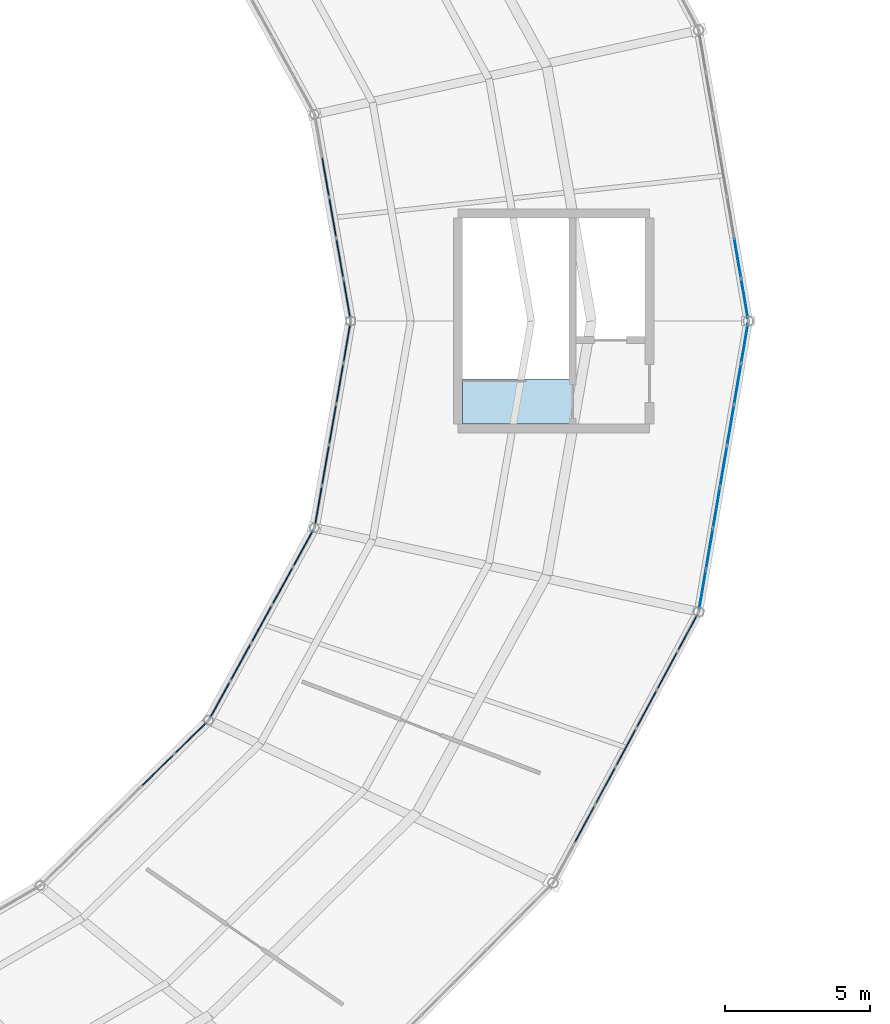
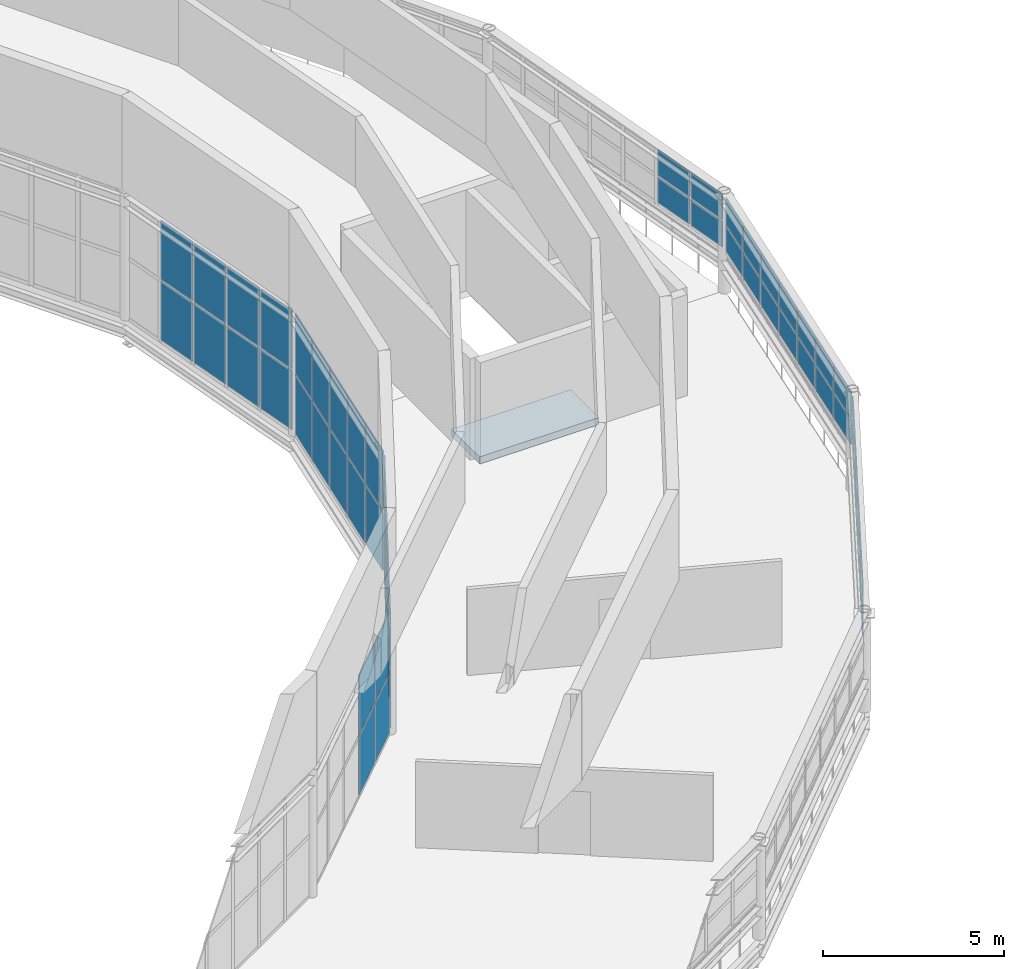
# One storey, part 88 of 123: 62 plates, 1 slab, 7 elements without a shape of their own.
"""IFC4 building model written with IfcOpenShell, lengths in metres."""

from ifc_helpers import new_model, si_unit, direction, frame, origin, origin_2d, place, context, subcontext, project, spatial, polyline, rectangle, outline, extrude, material, layer, layer_set, type_object, element, aggregate, save


model = new_model("IFC4")

# Units and contexts
model_context = context("Model", 3, precision=1e-05, world=origin(), true_north=direction((0.0, 1.0)))
body_context = subcontext(model_context, "Body", "Model", "MODEL_VIEW")
ifc_project = project(units=[si_unit("LENGTHUNIT", "METRE"), si_unit("AREAUNIT", "SQUARE_METRE"), si_unit("VOLUMEUNIT", "CUBIC_METRE"), si_unit("PLANEANGLEUNIT", "RADIAN"), si_unit("MASSUNIT", "GRAM", prefix="KILO")], contexts=[model_context])

# Site, building, storey
site_placement = place(None, origin())
site = spatial("IfcSite", under=ifc_project, at=site_placement, CompositionType="ELEMENT")
building_placement = place(site_placement, origin())
building = spatial("IfcBuilding", under=site, at=building_placement, Name="Kildeholm Park Wholesale Market", CompositionType="ELEMENT")
storey_placement = place(building_placement, frame((0.0, 0.0, 9.60009765625)))
storey = spatial("IfcBuildingStorey", under=building, at=storey_placement, Name="L02", CompositionType="ELEMENT", Elevation=9.60009765625)

# Curtain wall, plates
ifc_material_1 = material(Name="Anodised aluminium and low-E double-glazed glass", Category="aluminium")
curtain_wall_type = type_object("IfcCurtainWallType", Name="Clerestory daylight stick curtain wall CW-02", PredefinedType="NOTDEFINED", material=ifc_material_1)
curtain_wall_1_placement = place(storey_placement, origin())
curtain_wall_1 = element("IfcCurtainWall", 1, at=curtain_wall_1_placement, inside=storey, type_object=curtain_wall_type, Name="Curtain wall CW-V1-IN2-00 CW-0005", PredefinedType="NOTDEFINED")
ifc_material_2 = material(Name="Triple-glazed solar-control glass", Category="glass")
ifc_layer_1 = layer(ifc_material_2, 0.035888671875)
ifc_layer_set_1 = layer_set([ifc_layer_1], Name="Triple-glazed solar-control glass")
plate_type_1 = type_object("IfcPlateType", Name="Curtain-wall panel CWP-2 36 mm", PredefinedType="CURTAIN_PANEL", material=ifc_layer_set_1)
plate_1_placement = place(storey_placement, frame((135.37451171875, 90.2587890625, 0.06005859375), z_axis=(0.0, 0.0, 1.0), x_axis=(-0.172132515628, 0.985073802851, 0.0)))
plate_1 = element("IfcPlate", 2, at=plate_1_placement, type_object=plate_type_1, Name="CW-02 panel 1.1 PLT-0222", PredefinedType="CURTAIN_PANEL", context=body_context, shape_type="SweptSolid", body=[
    extrude(rectangle(XDim=1.339111328125, YDim=0.035888671875, at=origin_2d()), origin(), (0.0, 0.0, 1.0), 1.985107421875),
])
plate_2_placement = place(storey_placement, frame((135.37451171875, 90.2587890625, 2.10498046875), z_axis=(0.0, 0.0, 1.0), x_axis=(-0.172132515628, 0.985073802851, 0.0)))
plate_2 = element("IfcPlate", 3, at=plate_2_placement, type_object=plate_type_1, Name="CW-02 panel 1.2 PLT-0223", PredefinedType="CURTAIN_PANEL", context=body_context, shape_type="SweptSolid", body=[
    extrude(rectangle(XDim=1.339111328125, YDim=0.035888671875, at=origin_2d()), origin(), (0.0, 0.0, 1.0), 1.985107421875),
])
plate_3_placement = place(storey_placement, frame((135.131103515625, 91.651611328125, 0.06005859375), z_axis=(0.0, 0.0, 1.0), x_axis=(-0.172132515628, 0.985073802851, 0.0)))
plate_3 = element("IfcPlate", 4, at=plate_3_placement, type_object=plate_type_1, Name="CW-02 panel 2.1 PLT-0224", PredefinedType="CURTAIN_PANEL", context=body_context, shape_type="SweptSolid", body=[
    extrude(rectangle(XDim=1.369140625, YDim=0.035888671875, at=origin_2d()), origin(), (0.0, 0.0, 1.0), 1.985107421875),
])
plate_4_placement = place(storey_placement, frame((135.131103515625, 91.651611328125, 2.10498046875), z_axis=(0.0, 0.0, 1.0), x_axis=(-0.172132515628, 0.985073802851, 0.0)))
plate_4 = element("IfcPlate", 5, at=plate_4_placement, type_object=plate_type_1, Name="CW-02 panel 2.2 PLT-0225", PredefinedType="CURTAIN_PANEL", context=body_context, shape_type="SweptSolid", body=[
    extrude(rectangle(XDim=1.369140625, YDim=0.035888671875, at=origin_2d()), origin(), (0.0, 0.0, 1.0), 1.985107421875),
])
plate_5_placement = place(storey_placement, frame((134.885009765625, 93.0595703125, 0.06005859375), z_axis=(0.0, 0.0, 1.0), x_axis=(-0.172132515628, 0.985073802851, 0.0)))
plate_5 = element("IfcPlate", 6, at=plate_5_placement, type_object=plate_type_1, Name="CW-02 panel 3.1 PLT-0226", PredefinedType="CURTAIN_PANEL", context=body_context, shape_type="SweptSolid", body=[
    extrude(rectangle(XDim=1.369140625, YDim=0.035888671875, at=origin_2d()), origin(), (0.0, 0.0, 1.0), 1.985107421875),
])
plate_6_placement = place(storey_placement, frame((134.885009765625, 93.0595703125, 2.10498046875), z_axis=(0.0, 0.0, 1.0), x_axis=(-0.172132515628, 0.985073802851, 0.0)))
plate_6 = element("IfcPlate", 7, at=plate_6_placement, type_object=plate_type_1, Name="CW-02 panel 3.2 PLT-0227", PredefinedType="CURTAIN_PANEL", context=body_context, shape_type="SweptSolid", body=[
    extrude(rectangle(XDim=1.369140625, YDim=0.035888671875, at=origin_2d()), origin(), (0.0, 0.0, 1.0), 1.985107421875),
])
plate_7_placement = place(storey_placement, frame((134.638916015625, 94.46728515625, 0.06005859375), z_axis=(0.0, 0.0, 1.0), x_axis=(-0.172132515628, 0.985073802851, 0.0)))
plate_7 = element("IfcPlate", 8, at=plate_7_placement, type_object=plate_type_1, Name="CW-02 panel 4.1 PLT-0228", PredefinedType="CURTAIN_PANEL", context=body_context, shape_type="SweptSolid", body=[
    extrude(rectangle(XDim=1.369140625, YDim=0.035888671875, at=origin_2d()), origin(), (0.0, 0.0, 1.0), 1.985107421875),
])
plate_8_placement = place(storey_placement, frame((134.638916015625, 94.46728515625, 2.10498046875), z_axis=(0.0, 0.0, 1.0), x_axis=(-0.172132515628, 0.985073802851, 0.0)))
plate_8 = element("IfcPlate", 9, at=plate_8_placement, type_object=plate_type_1, Name="CW-02 panel 4.2 PLT-0229", PredefinedType="CURTAIN_PANEL", context=body_context, shape_type="SweptSolid", body=[
    extrude(rectangle(XDim=1.369140625, YDim=0.035888671875, at=origin_2d()), origin(), (0.0, 0.0, 1.0), 1.985107421875),
])
aggregate(curtain_wall_1, [plate_1, plate_2, plate_3, plate_4, plate_5, plate_6, plate_7, plate_8])

curtain_wall_2_placement = place(storey_placement, origin())
curtain_wall_2 = element("IfcCurtainWall", 10, at=curtain_wall_2_placement, inside=storey, type_object=curtain_wall_type, Name="Curtain wall CW-V1-IN2-21 CW-0108", PredefinedType="NOTDEFINED")
plate_9_placement = place(storey_placement, frame((128.863037109375, 74.02734375, 0.06005859375), z_axis=(0.0, 0.0, 1.0), x_axis=(0.713537995789, 0.700616534607, 0.0)))
plate_9 = element("IfcPlate", 11, at=plate_9_placement, type_object=plate_type_1, Name="CW-02 panel 4.1 PLT-1616", PredefinedType="CURTAIN_PANEL", context=body_context, shape_type="SweptSolid", body=[
    extrude(rectangle(XDim=1.5498046875, YDim=0.035888671875, at=origin_2d()), origin(), (0.0, 0.0, 1.0), 1.985107421875),
])
plate_10_placement = place(storey_placement, frame((128.863037109375, 74.02734375, 2.10498046875), z_axis=(0.0, 0.0, 1.0), x_axis=(0.713537995789, 0.700616534607, 0.0)))
plate_10 = element("IfcPlate", 12, at=plate_10_placement, type_object=plate_type_1, Name="CW-02 panel 4.2 PLT-1617", PredefinedType="CURTAIN_PANEL", context=body_context, shape_type="SweptSolid", body=[
    extrude(rectangle(XDim=1.5498046875, YDim=0.035888671875, at=origin_2d()), origin(), (0.0, 0.0, 1.0), 1.985107421875),
])
plate_11_placement = place(storey_placement, frame((130.0009765625, 75.14453125, 0.06005859375), z_axis=(0.0, 0.0, 1.0), x_axis=(0.713537995789, 0.700616534607, 0.0)))
plate_11 = element("IfcPlate", 13, at=plate_11_placement, type_object=plate_type_1, Name="CW-02 panel 5.1 PLT-1618", PredefinedType="CURTAIN_PANEL", context=body_context, shape_type="SweptSolid", body=[
    extrude(rectangle(XDim=1.519775390625, YDim=0.035888671875, at=origin_2d()), origin(), (0.0, 0.0, 1.0), 1.985107421875),
])
plate_12_placement = place(storey_placement, frame((130.0009765625, 75.14453125, 2.10498046875), z_axis=(0.0, 0.0, 1.0), x_axis=(0.713537995789, 0.700616534607, 0.0)))
plate_12 = element("IfcPlate", 14, at=plate_12_placement, type_object=plate_type_1, Name="CW-02 panel 5.2 PLT-1619", PredefinedType="CURTAIN_PANEL", context=body_context, shape_type="SweptSolid", body=[
    extrude(rectangle(XDim=1.519775390625, YDim=0.035888671875, at=origin_2d()), origin(), (0.0, 0.0, 1.0), 1.985107421875),
])
aggregate(curtain_wall_2, [plate_9, plate_10, plate_11, plate_12])

curtain_wall_3_placement = place(storey_placement, origin())
curtain_wall_3 = element("IfcCurtainWall", 15, at=curtain_wall_3_placement, inside=storey, type_object=curtain_wall_type, Name="Curtain wall CW-V1-IN2-22 CW-0113", PredefinedType="NOTDEFINED")
plate_13_placement = place(storey_placement, frame((131.0029296875, 76.452392578125, 0.06005859375), z_axis=(0.0, 0.0, 1.0), x_axis=(0.481749595055, 0.876308922506, 0.0)))
plate_13 = element("IfcPlate", 16, at=plate_13_placement, type_object=plate_type_1, Name="CW-02 panel 1.1 PLT-1670", PredefinedType="CURTAIN_PANEL", context=body_context, shape_type="SweptSolid", body=[
    extrude(rectangle(XDim=1.407958984375, YDim=0.035888671875, at=origin_2d()), origin(), (0.0, 0.0, 1.0), 1.985107421875),
])
plate_14_placement = place(storey_placement, frame((131.0029296875, 76.452392578125, 2.10498046875), z_axis=(0.0, 0.0, 1.0), x_axis=(0.481749595055, 0.876308922506, 0.0)))
plate_14 = element("IfcPlate", 17, at=plate_14_placement, type_object=plate_type_1, Name="CW-02 panel 1.2 PLT-1671", PredefinedType="CURTAIN_PANEL", context=body_context, shape_type="SweptSolid", body=[
    extrude(rectangle(XDim=1.407958984375, YDim=0.035888671875, at=origin_2d()), origin(), (0.0, 0.0, 1.0), 1.985107421875),
])
plate_15_placement = place(storey_placement, frame((131.71728515625, 77.751953125, 0.06005859375), z_axis=(0.0, 0.0, 1.0), x_axis=(0.481749595055, 0.876308922506, 0.0)))
plate_15 = element("IfcPlate", 18, at=plate_15_placement, type_object=plate_type_1, Name="CW-02 panel 2.1 PLT-1672", PredefinedType="CURTAIN_PANEL", context=body_context, shape_type="SweptSolid", body=[
    extrude(rectangle(XDim=1.43798828125, YDim=0.035888671875, at=origin_2d()), origin(), (0.0, 0.0, 1.0), 1.985107421875),
])
plate_16_placement = place(storey_placement, frame((131.71728515625, 77.751953125, 2.10498046875), z_axis=(0.0, 0.0, 1.0), x_axis=(0.481749595055, 0.876308922506, 0.0)))
plate_16 = element("IfcPlate", 19, at=plate_16_placement, type_object=plate_type_1, Name="CW-02 panel 2.2 PLT-1673", PredefinedType="CURTAIN_PANEL", context=body_context, shape_type="SweptSolid", body=[
    extrude(rectangle(XDim=1.43798828125, YDim=0.035888671875, at=origin_2d()), origin(), (0.0, 0.0, 1.0), 1.985107421875),
])
plate_17_placement = place(storey_placement, frame((132.43896484375, 79.064453125, 0.06005859375), z_axis=(0.0, 0.0, 1.0), x_axis=(0.481749595055, 0.876308922506, 0.0)))
plate_17 = element("IfcPlate", 20, at=plate_17_placement, type_object=plate_type_1, Name="CW-02 panel 3.1 PLT-1674", PredefinedType="CURTAIN_PANEL", context=body_context, shape_type="SweptSolid", body=[
    extrude(rectangle(XDim=1.43798828125, YDim=0.035888671875, at=origin_2d()), origin(), (0.0, 0.0, 1.0), 1.985107421875),
])
plate_18_placement = place(storey_placement, frame((132.43896484375, 79.064453125, 2.10498046875), z_axis=(0.0, 0.0, 1.0), x_axis=(0.481749595055, 0.876308922506, 0.0)))
plate_18 = element("IfcPlate", 21, at=plate_18_placement, type_object=plate_type_1, Name="CW-02 panel 3.2 PLT-1675", PredefinedType="CURTAIN_PANEL", context=body_context, shape_type="SweptSolid", body=[
    extrude(rectangle(XDim=1.43798828125, YDim=0.035888671875, at=origin_2d()), origin(), (0.0, 0.0, 1.0), 1.985107421875),
])
plate_19_placement = place(storey_placement, frame((133.16064453125, 80.377197265625, 0.06005859375), z_axis=(0.0, 0.0, 1.0), x_axis=(0.481749595055, 0.876308922506, 0.0)))
plate_19 = element("IfcPlate", 22, at=plate_19_placement, type_object=plate_type_1, Name="CW-02 panel 4.1 PLT-1676", PredefinedType="CURTAIN_PANEL", context=body_context, shape_type="SweptSolid", body=[
    extrude(rectangle(XDim=1.43798828125, YDim=0.035888671875, at=origin_2d()), origin(), (0.0, 0.0, 1.0), 1.985107421875),
])
plate_20_placement = place(storey_placement, frame((133.16064453125, 80.377197265625, 2.10498046875), z_axis=(0.0, 0.0, 1.0), x_axis=(0.481749595055, 0.876308922506, 0.0)))
plate_20 = element("IfcPlate", 23, at=plate_20_placement, type_object=plate_type_1, Name="CW-02 panel 4.2 PLT-1677", PredefinedType="CURTAIN_PANEL", context=body_context, shape_type="SweptSolid", body=[
    extrude(rectangle(XDim=1.43798828125, YDim=0.035888671875, at=origin_2d()), origin(), (0.0, 0.0, 1.0), 1.985107421875),
])
plate_21_placement = place(storey_placement, frame((133.875, 81.676513671875, 0.06005859375), z_axis=(0.0, 0.0, 1.0), x_axis=(0.481749595055, 0.876308922506, 0.0)))
plate_21 = element("IfcPlate", 24, at=plate_21_placement, type_object=plate_type_1, Name="CW-02 panel 5.1 PLT-1678", PredefinedType="CURTAIN_PANEL", context=body_context, shape_type="SweptSolid", body=[
    extrude(rectangle(XDim=1.407958984375, YDim=0.035888671875, at=origin_2d()), origin(), (0.0, 0.0, 1.0), 1.985107421875),
])
plate_22_placement = place(storey_placement, frame((133.875, 81.676513671875, 2.10498046875), z_axis=(0.0, 0.0, 1.0), x_axis=(0.481749595055, 0.876308922506, 0.0)))
plate_22 = element("IfcPlate", 25, at=plate_22_placement, type_object=plate_type_1, Name="CW-02 panel 5.2 PLT-1679", PredefinedType="CURTAIN_PANEL", context=body_context, shape_type="SweptSolid", body=[
    extrude(rectangle(XDim=1.407958984375, YDim=0.035888671875, at=origin_2d()), origin(), (0.0, 0.0, 1.0), 1.985107421875),
])
aggregate(curtain_wall_3, [plate_13, plate_14, plate_15, plate_16, plate_17, plate_18, plate_19, plate_20, plate_21, plate_22])

curtain_wall_4_placement = place(storey_placement, origin())
curtain_wall_4 = element("IfcCurtainWall", 26, at=curtain_wall_4_placement, inside=storey, type_object=curtain_wall_type, Name="Curtain wall CW-V1-IN2-23 CW-0118", PredefinedType="NOTDEFINED")
plate_23_placement = place(storey_placement, frame((134.3955078125, 83.1396484375, 0.06005859375), z_axis=(0.0, 0.0, 1.0), x_axis=(0.172132515628, 0.985073802851, 0.0)))
plate_23 = element("IfcPlate", 27, at=plate_23_placement, type_object=plate_type_1, Name="CW-02 panel 1.1 PLT-1730", PredefinedType="CURTAIN_PANEL", context=body_context, shape_type="SweptSolid", body=[
    extrude(rectangle(XDim=1.339111328125, YDim=0.035888671875, at=origin_2d()), origin(), (0.0, 0.0, 1.0), 1.985107421875),
])
plate_24_placement = place(storey_placement, frame((134.3955078125, 83.1396484375, 2.10498046875), z_axis=(0.0, 0.0, 1.0), x_axis=(0.172132515628, 0.985073802851, 0.0)))
plate_24 = element("IfcPlate", 28, at=plate_24_placement, type_object=plate_type_1, Name="CW-02 panel 1.2 PLT-1731", PredefinedType="CURTAIN_PANEL", context=body_context, shape_type="SweptSolid", body=[
    extrude(rectangle(XDim=1.339111328125, YDim=0.035888671875, at=origin_2d()), origin(), (0.0, 0.0, 1.0), 1.985107421875),
])
plate_25_placement = place(storey_placement, frame((134.638916015625, 84.53271484375, 0.06005859375), z_axis=(0.0, 0.0, 1.0), x_axis=(0.172132515628, 0.985073802851, 0.0)))
plate_25 = element("IfcPlate", 29, at=plate_25_placement, type_object=plate_type_1, Name="CW-02 panel 2.1 PLT-1732", PredefinedType="CURTAIN_PANEL", context=body_context, shape_type="SweptSolid", body=[
    extrude(rectangle(XDim=1.369140625, YDim=0.035888671875, at=origin_2d()), origin(), (0.0, 0.0, 1.0), 1.985107421875),
])
plate_26_placement = place(storey_placement, frame((134.638916015625, 84.53271484375, 2.10498046875), z_axis=(0.0, 0.0, 1.0), x_axis=(0.172132515628, 0.985073802851, 0.0)))
plate_26 = element("IfcPlate", 30, at=plate_26_placement, type_object=plate_type_1, Name="CW-02 panel 2.2 PLT-1733", PredefinedType="CURTAIN_PANEL", context=body_context, shape_type="SweptSolid", body=[
    extrude(rectangle(XDim=1.369140625, YDim=0.035888671875, at=origin_2d()), origin(), (0.0, 0.0, 1.0), 1.985107421875),
])
plate_27_placement = place(storey_placement, frame((134.885009765625, 85.9404296875, 0.06005859375), z_axis=(0.0, 0.0, 1.0), x_axis=(0.172132515628, 0.985073802851, 0.0)))
plate_27 = element("IfcPlate", 31, at=plate_27_placement, type_object=plate_type_1, Name="CW-02 panel 3.1 PLT-1734", PredefinedType="CURTAIN_PANEL", context=body_context, shape_type="SweptSolid", body=[
    extrude(rectangle(XDim=1.369140625, YDim=0.035888671875, at=origin_2d()), origin(), (0.0, 0.0, 1.0), 1.985107421875),
])
plate_28_placement = place(storey_placement, frame((134.885009765625, 85.9404296875, 2.10498046875), z_axis=(0.0, 0.0, 1.0), x_axis=(0.172132515628, 0.985073802851, 0.0)))
plate_28 = element("IfcPlate", 32, at=plate_28_placement, type_object=plate_type_1, Name="CW-02 panel 3.2 PLT-1735", PredefinedType="CURTAIN_PANEL", context=body_context, shape_type="SweptSolid", body=[
    extrude(rectangle(XDim=1.369140625, YDim=0.035888671875, at=origin_2d()), origin(), (0.0, 0.0, 1.0), 1.985107421875),
])
plate_29_placement = place(storey_placement, frame((135.131103515625, 87.348388671875, 0.06005859375), z_axis=(0.0, 0.0, 1.0), x_axis=(0.172132515628, 0.985073802851, 0.0)))
plate_29 = element("IfcPlate", 33, at=plate_29_placement, type_object=plate_type_1, Name="CW-02 panel 4.1 PLT-1736", PredefinedType="CURTAIN_PANEL", context=body_context, shape_type="SweptSolid", body=[
    extrude(rectangle(XDim=1.369140625, YDim=0.035888671875, at=origin_2d()), origin(), (0.0, 0.0, 1.0), 1.985107421875),
])
plate_30_placement = place(storey_placement, frame((135.131103515625, 87.348388671875, 2.10498046875), z_axis=(0.0, 0.0, 1.0), x_axis=(0.172132515628, 0.985073802851, 0.0)))
plate_30 = element("IfcPlate", 34, at=plate_30_placement, type_object=plate_type_1, Name="CW-02 panel 4.2 PLT-1737", PredefinedType="CURTAIN_PANEL", context=body_context, shape_type="SweptSolid", body=[
    extrude(rectangle(XDim=1.369140625, YDim=0.035888671875, at=origin_2d()), origin(), (0.0, 0.0, 1.0), 1.985107421875),
])
plate_31_placement = place(storey_placement, frame((135.37451171875, 88.7412109375, 0.06005859375), z_axis=(0.0, 0.0, 1.0), x_axis=(0.172132515628, 0.985073802851, 0.0)))
plate_31 = element("IfcPlate", 35, at=plate_31_placement, type_object=plate_type_1, Name="CW-02 panel 5.1 PLT-1738", PredefinedType="CURTAIN_PANEL", context=body_context, shape_type="SweptSolid", body=[
    extrude(rectangle(XDim=1.339111328125, YDim=0.035888671875, at=origin_2d()), origin(), (0.0, 0.0, 1.0), 1.985107421875),
])
plate_32_placement = place(storey_placement, frame((135.37451171875, 88.7412109375, 2.10498046875), z_axis=(0.0, 0.0, 1.0), x_axis=(0.172132515628, 0.985073802851, 0.0)))
plate_32 = element("IfcPlate", 36, at=plate_32_placement, type_object=plate_type_1, Name="CW-02 panel 5.2 PLT-1739", PredefinedType="CURTAIN_PANEL", context=body_context, shape_type="SweptSolid", body=[
    extrude(rectangle(XDim=1.339111328125, YDim=0.035888671875, at=origin_2d()), origin(), (0.0, 0.0, 1.0), 1.985107421875),
])
aggregate(curtain_wall_4, [plate_23, plate_24, plate_25, plate_26, plate_27, plate_28, plate_29, plate_30, plate_31, plate_32])

curtain_wall_5_placement = place(storey_placement, origin())
curtain_wall_5 = element("IfcCurtainWall", 37, at=curtain_wall_5_placement, inside=storey, type_object=curtain_wall_type, Name="Curtain wall CW-V1-CL-00 CW-0002", PredefinedType="NOTDEFINED")
ifc_material_3 = material(Name="Fritted solar-control clerestory glass", Category="glass")
ifc_layer_2 = layer(ifc_material_3, 0.031982421875)
ifc_layer_set_2 = layer_set([ifc_layer_2], Name="Fritted solar-control clerestory glass")
plate_type_2 = type_object("IfcPlateType", Name="Curtain-wall panel CWP-4 32 mm", PredefinedType="CURTAIN_PANEL", material=ifc_layer_set_2)
plate_33_placement = place(storey_placement, frame((149.076171875, 90.2646484375, 1.40966796875), z_axis=(0.0, 0.0, 1.0), x_axis=(-0.168322320564, 0.985732010437, 0.0)))
plate_33 = element("IfcPlate", 38, at=plate_33_placement, type_object=plate_type_2, Name="CW-02 panel 1.1 PLT-0188", PredefinedType="CURTAIN_PANEL", context=body_context, shape_type="SweptSolid", body=[
    extrude(rectangle(XDim=1.350341796875, YDim=0.031982421875, at=origin_2d()), origin(), (0.0, 0.0, 1.0), 0.860107421875),
])
plate_34_placement = place(storey_placement, frame((149.076171875, 90.2646484375, 2.330078125), z_axis=(0.0, 0.0, 1.0), x_axis=(-0.168322320564, 0.985732010437, 0.0)))
plate_34 = element("IfcPlate", 39, at=plate_34_placement, type_object=plate_type_2, Name="CW-02 panel 1.2 PLT-0189", PredefinedType="CURTAIN_PANEL", context=body_context, shape_type="SweptSolid", body=[
    extrude(rectangle(XDim=1.350341796875, YDim=0.031982421875, at=origin_2d()), origin(), (0.0, 0.0, 1.0), 0.860107421875),
])
plate_35_placement = place(storey_placement, frame((148.83642578125, 91.669677734375, 1.40966796875), z_axis=(0.0, 0.0, 1.0), x_axis=(-0.168322320564, 0.985732010437, 0.0)))
plate_35 = element("IfcPlate", 40, at=plate_35_placement, type_object=plate_type_2, Name="CW-02 panel 2.1 PLT-0190", PredefinedType="CURTAIN_PANEL", context=body_context, shape_type="SweptSolid", body=[
    extrude(rectangle(XDim=1.38037109375, YDim=0.031982421875, at=origin_2d()), origin(), (0.0, 0.0, 1.0), 0.860107421875),
])
plate_36_placement = place(storey_placement, frame((148.83642578125, 91.669677734375, 2.330078125), z_axis=(0.0, 0.0, 1.0), x_axis=(-0.168322320564, 0.985732010437, 0.0)))
plate_36 = element("IfcPlate", 41, at=plate_36_placement, type_object=plate_type_2, Name="CW-02 panel 2.2 PLT-0191", PredefinedType="CURTAIN_PANEL", context=body_context, shape_type="SweptSolid", body=[
    extrude(rectangle(XDim=1.38037109375, YDim=0.031982421875, at=origin_2d()), origin(), (0.0, 0.0, 1.0), 0.860107421875),
])
aggregate(curtain_wall_5, [plate_33, plate_34, plate_35, plate_36])

curtain_wall_6_placement = place(storey_placement, origin())
curtain_wall_6 = element("IfcCurtainWall", 42, at=curtain_wall_6_placement, inside=storey, type_object=curtain_wall_type, Name="Curtain wall CW-V1-CL-22 CW-0110", PredefinedType="NOTDEFINED")
plate_37_placement = place(storey_placement, frame((143.565673828125, 72.168212890625, 1.40966796875), z_axis=(0.0, 0.0, 1.0), x_axis=(0.473339828092, 0.880879905062, 0.0)))
plate_37 = element("IfcPlate", 43, at=plate_37_placement, type_object=plate_type_2, Name="CW-02 panel 2.1 PLT-1638", PredefinedType="CURTAIN_PANEL", context=body_context, shape_type="SweptSolid", body=[
    extrude(rectangle(XDim=1.4423828125, YDim=0.031982421875, at=origin_2d()), origin(), (0.0, 0.0, 1.0), 0.860107421875),
])
plate_38_placement = place(storey_placement, frame((143.565673828125, 72.168212890625, 2.330078125), z_axis=(0.0, 0.0, 1.0), x_axis=(0.473339828092, 0.880879905062, 0.0)))
plate_38 = element("IfcPlate", 44, at=plate_38_placement, type_object=plate_type_2, Name="CW-02 panel 2.2 PLT-1639", PredefinedType="CURTAIN_PANEL", context=body_context, shape_type="SweptSolid", body=[
    extrude(rectangle(XDim=1.4423828125, YDim=0.031982421875, at=origin_2d()), origin(), (0.0, 0.0, 1.0), 0.860107421875),
])
plate_39_placement = place(storey_placement, frame((144.27685546875, 73.491455078125, 1.40966796875), z_axis=(0.0, 0.0, 1.0), x_axis=(0.473339828092, 0.880879905062, 0.0)))
plate_39 = element("IfcPlate", 45, at=plate_39_placement, type_object=plate_type_2, Name="CW-02 panel 3.1 PLT-1640", PredefinedType="CURTAIN_PANEL", context=body_context, shape_type="SweptSolid", body=[
    extrude(rectangle(XDim=1.4423828125, YDim=0.031982421875, at=origin_2d()), origin(), (0.0, 0.0, 1.0), 0.860107421875),
])
plate_40_placement = place(storey_placement, frame((144.27685546875, 73.491455078125, 2.330078125), z_axis=(0.0, 0.0, 1.0), x_axis=(0.473339828092, 0.880879905062, 0.0)))
plate_40 = element("IfcPlate", 46, at=plate_40_placement, type_object=plate_type_2, Name="CW-02 panel 3.2 PLT-1641", PredefinedType="CURTAIN_PANEL", context=body_context, shape_type="SweptSolid", body=[
    extrude(rectangle(XDim=1.4423828125, YDim=0.031982421875, at=origin_2d()), origin(), (0.0, 0.0, 1.0), 0.860107421875),
])
plate_41_placement = place(storey_placement, frame((144.988037109375, 74.81494140625, 1.40966796875), z_axis=(0.0, 0.0, 1.0), x_axis=(0.473339828092, 0.880879905062, 0.0)))
plate_41 = element("IfcPlate", 47, at=plate_41_placement, type_object=plate_type_2, Name="CW-02 panel 4.1 PLT-1642", PredefinedType="CURTAIN_PANEL", context=body_context, shape_type="SweptSolid", body=[
    extrude(rectangle(XDim=1.4423828125, YDim=0.031982421875, at=origin_2d()), origin(), (0.0, 0.0, 1.0), 0.860107421875),
])
plate_42_placement = place(storey_placement, frame((144.988037109375, 74.81494140625, 2.330078125), z_axis=(0.0, 0.0, 1.0), x_axis=(0.473339828092, 0.880879905062, 0.0)))
plate_42 = element("IfcPlate", 48, at=plate_42_placement, type_object=plate_type_2, Name="CW-02 panel 4.2 PLT-1643", PredefinedType="CURTAIN_PANEL", context=body_context, shape_type="SweptSolid", body=[
    extrude(rectangle(XDim=1.4423828125, YDim=0.031982421875, at=origin_2d()), origin(), (0.0, 0.0, 1.0), 0.860107421875),
])
plate_43_placement = place(storey_placement, frame((145.69921875, 76.138427734375, 1.40966796875), z_axis=(0.0, 0.0, 1.0), x_axis=(0.473339828092, 0.880879905062, 0.0)))
plate_43 = element("IfcPlate", 49, at=plate_43_placement, type_object=plate_type_2, Name="CW-02 panel 5.1 PLT-1644", PredefinedType="CURTAIN_PANEL", context=body_context, shape_type="SweptSolid", body=[
    extrude(rectangle(XDim=1.4423828125, YDim=0.031982421875, at=origin_2d()), origin(), (0.0, 0.0, 1.0), 0.860107421875),
])
plate_44_placement = place(storey_placement, frame((145.69921875, 76.138427734375, 2.330078125), z_axis=(0.0, 0.0, 1.0), x_axis=(0.473339828092, 0.880879905062, 0.0)))
plate_44 = element("IfcPlate", 50, at=plate_44_placement, type_object=plate_type_2, Name="CW-02 panel 5.2 PLT-1645", PredefinedType="CURTAIN_PANEL", context=body_context, shape_type="SweptSolid", body=[
    extrude(rectangle(XDim=1.4423828125, YDim=0.031982421875, at=origin_2d()), origin(), (0.0, 0.0, 1.0), 0.860107421875),
])
plate_45_placement = place(storey_placement, frame((146.410400390625, 77.4619140625, 1.40966796875), z_axis=(0.0, 0.0, 1.0), x_axis=(0.473339828092, 0.880879905062, 0.0)))
plate_45 = element("IfcPlate", 51, at=plate_45_placement, type_object=plate_type_2, Name="CW-02 panel 6.1 PLT-1646", PredefinedType="CURTAIN_PANEL", context=body_context, shape_type="SweptSolid", body=[
    extrude(rectangle(XDim=1.4423828125, YDim=0.031982421875, at=origin_2d()), origin(), (0.0, 0.0, 1.0), 0.860107421875),
])
plate_46_placement = place(storey_placement, frame((146.410400390625, 77.4619140625, 2.330078125), z_axis=(0.0, 0.0, 1.0), x_axis=(0.473339828092, 0.880879905062, 0.0)))
plate_46 = element("IfcPlate", 52, at=plate_46_placement, type_object=plate_type_2, Name="CW-02 panel 6.2 PLT-1647", PredefinedType="CURTAIN_PANEL", context=body_context, shape_type="SweptSolid", body=[
    extrude(rectangle(XDim=1.4423828125, YDim=0.031982421875, at=origin_2d()), origin(), (0.0, 0.0, 1.0), 0.860107421875),
])
plate_47_placement = place(storey_placement, frame((147.1142578125, 78.77197265625, 1.40966796875), z_axis=(0.0, 0.0, 1.0), x_axis=(0.473339828092, 0.880879905062, 0.0)))
plate_47 = element("IfcPlate", 53, at=plate_47_placement, type_object=plate_type_2, Name="CW-02 panel 7.1 PLT-1648", PredefinedType="CURTAIN_PANEL", context=body_context, shape_type="SweptSolid", body=[
    extrude(rectangle(XDim=1.412353515625, YDim=0.031982421875, at=origin_2d()), origin(), (0.0, 0.0, 1.0), 0.860107421875),
])
plate_48_placement = place(storey_placement, frame((147.1142578125, 78.77197265625, 2.330078125), z_axis=(0.0, 0.0, 1.0), x_axis=(0.473339828092, 0.880879905062, 0.0)))
plate_48 = element("IfcPlate", 54, at=plate_48_placement, type_object=plate_type_2, Name="CW-02 panel 7.2 PLT-1649", PredefinedType="CURTAIN_PANEL", context=body_context, shape_type="SweptSolid", body=[
    extrude(rectangle(XDim=1.412353515625, YDim=0.031982421875, at=origin_2d()), origin(), (0.0, 0.0, 1.0), 0.860107421875),
])
aggregate(curtain_wall_6, [plate_37, plate_38, plate_39, plate_40, plate_41, plate_42, plate_43, plate_44, plate_45, plate_46, plate_47, plate_48])

curtain_wall_7_placement = place(storey_placement, origin())
curtain_wall_7 = element("IfcCurtainWall", 55, at=curtain_wall_7_placement, inside=storey, type_object=curtain_wall_type, Name="Curtain wall CW-V1-CL-23 CW-0115", PredefinedType="NOTDEFINED")
plate_49_placement = place(storey_placement, frame((147.626708984375, 80.24658203125, 1.40966796875), z_axis=(0.0, 0.0, 1.0), x_axis=(0.168322320564, 0.985732010437, 0.0)))
plate_49 = element("IfcPlate", 56, at=plate_49_placement, type_object=plate_type_2, Name="CW-02 panel 1.1 PLT-1696", PredefinedType="CURTAIN_PANEL", context=body_context, shape_type="SweptSolid", body=[
    extrude(rectangle(XDim=1.350341796875, YDim=0.031982421875, at=origin_2d()), origin(), (0.0, 0.0, 1.0), 0.860107421875),
])
plate_50_placement = place(storey_placement, frame((147.626708984375, 80.24658203125, 2.330078125), z_axis=(0.0, 0.0, 1.0), x_axis=(0.168322320564, 0.985732010437, 0.0)))
plate_50 = element("IfcPlate", 57, at=plate_50_placement, type_object=plate_type_2, Name="CW-02 panel 1.2 PLT-1697", PredefinedType="CURTAIN_PANEL", context=body_context, shape_type="SweptSolid", body=[
    extrude(rectangle(XDim=1.350341796875, YDim=0.031982421875, at=origin_2d()), origin(), (0.0, 0.0, 1.0), 0.860107421875),
])
plate_51_placement = place(storey_placement, frame((147.86669921875, 81.651611328125, 1.40966796875), z_axis=(0.0, 0.0, 1.0), x_axis=(0.168322320564, 0.985732010437, 0.0)))
plate_51 = element("IfcPlate", 58, at=plate_51_placement, type_object=plate_type_2, Name="CW-02 panel 2.1 PLT-1698", PredefinedType="CURTAIN_PANEL", context=body_context, shape_type="SweptSolid", body=[
    extrude(rectangle(XDim=1.38037109375, YDim=0.031982421875, at=origin_2d()), origin(), (0.0, 0.0, 1.0), 0.860107421875),
])
plate_52_placement = place(storey_placement, frame((147.86669921875, 81.651611328125, 2.330078125), z_axis=(0.0, 0.0, 1.0), x_axis=(0.168322320564, 0.985732010437, 0.0)))
plate_52 = element("IfcPlate", 59, at=plate_52_placement, type_object=plate_type_2, Name="CW-02 panel 2.2 PLT-1699", PredefinedType="CURTAIN_PANEL", context=body_context, shape_type="SweptSolid", body=[
    extrude(rectangle(XDim=1.38037109375, YDim=0.031982421875, at=origin_2d()), origin(), (0.0, 0.0, 1.0), 0.860107421875),
])
plate_53_placement = place(storey_placement, frame((148.109130859375, 83.0712890625, 1.40966796875), z_axis=(0.0, 0.0, 1.0), x_axis=(0.168322320564, 0.985732010437, 0.0)))
plate_53 = element("IfcPlate", 60, at=plate_53_placement, type_object=plate_type_2, Name="CW-02 panel 3.1 PLT-1700", PredefinedType="CURTAIN_PANEL", context=body_context, shape_type="SweptSolid", body=[
    extrude(rectangle(XDim=1.38037109375, YDim=0.031982421875, at=origin_2d()), origin(), (0.0, 0.0, 1.0), 0.860107421875),
])
plate_54_placement = place(storey_placement, frame((148.109130859375, 83.0712890625, 2.330078125), z_axis=(0.0, 0.0, 1.0), x_axis=(0.168322320564, 0.985732010437, 0.0)))
plate_54 = element("IfcPlate", 61, at=plate_54_placement, type_object=plate_type_2, Name="CW-02 panel 3.2 PLT-1701", PredefinedType="CURTAIN_PANEL", context=body_context, shape_type="SweptSolid", body=[
    extrude(rectangle(XDim=1.38037109375, YDim=0.031982421875, at=origin_2d()), origin(), (0.0, 0.0, 1.0), 0.860107421875),
])
plate_55_placement = place(storey_placement, frame((148.3515625, 84.490966796875, 1.40966796875), z_axis=(0.0, 0.0, 1.0), x_axis=(0.168322320564, 0.985732010437, 0.0)))
plate_55 = element("IfcPlate", 62, at=plate_55_placement, type_object=plate_type_2, Name="CW-02 panel 4.1 PLT-1702", PredefinedType="CURTAIN_PANEL", context=body_context, shape_type="SweptSolid", body=[
    extrude(rectangle(XDim=1.38037109375, YDim=0.031982421875, at=origin_2d()), origin(), (0.0, 0.0, 1.0), 0.860107421875),
])
plate_56_placement = place(storey_placement, frame((148.3515625, 84.490966796875, 2.330078125), z_axis=(0.0, 0.0, 1.0), x_axis=(0.168322320564, 0.985732010437, 0.0)))
plate_56 = element("IfcPlate", 63, at=plate_56_placement, type_object=plate_type_2, Name="CW-02 panel 4.2 PLT-1703", PredefinedType="CURTAIN_PANEL", context=body_context, shape_type="SweptSolid", body=[
    extrude(rectangle(XDim=1.38037109375, YDim=0.031982421875, at=origin_2d()), origin(), (0.0, 0.0, 1.0), 0.860107421875),
])
plate_57_placement = place(storey_placement, frame((148.593994140625, 85.91064453125, 1.40966796875), z_axis=(0.0, 0.0, 1.0), x_axis=(0.168322320564, 0.985732010437, 0.0)))
plate_57 = element("IfcPlate", 64, at=plate_57_placement, type_object=plate_type_2, Name="CW-02 panel 5.1 PLT-1704", PredefinedType="CURTAIN_PANEL", context=body_context, shape_type="SweptSolid", body=[
    extrude(rectangle(XDim=1.38037109375, YDim=0.031982421875, at=origin_2d()), origin(), (0.0, 0.0, 1.0), 0.860107421875),
])
plate_58_placement = place(storey_placement, frame((148.593994140625, 85.91064453125, 2.330078125), z_axis=(0.0, 0.0, 1.0), x_axis=(0.168322320564, 0.985732010437, 0.0)))
plate_58 = element("IfcPlate", 65, at=plate_58_placement, type_object=plate_type_2, Name="CW-02 panel 5.2 PLT-1705", PredefinedType="CURTAIN_PANEL", context=body_context, shape_type="SweptSolid", body=[
    extrude(rectangle(XDim=1.38037109375, YDim=0.031982421875, at=origin_2d()), origin(), (0.0, 0.0, 1.0), 0.860107421875),
])
plate_59_placement = place(storey_placement, frame((148.83642578125, 87.330322265625, 1.40966796875), z_axis=(0.0, 0.0, 1.0), x_axis=(0.168322320564, 0.985732010437, 0.0)))
plate_59 = element("IfcPlate", 66, at=plate_59_placement, type_object=plate_type_2, Name="CW-02 panel 6.1 PLT-1706", PredefinedType="CURTAIN_PANEL", context=body_context, shape_type="SweptSolid", body=[
    extrude(rectangle(XDim=1.38037109375, YDim=0.031982421875, at=origin_2d()), origin(), (0.0, 0.0, 1.0), 0.860107421875),
])
plate_60_placement = place(storey_placement, frame((148.83642578125, 87.330322265625, 2.330078125), z_axis=(0.0, 0.0, 1.0), x_axis=(0.168322320564, 0.985732010437, 0.0)))
plate_60 = element("IfcPlate", 67, at=plate_60_placement, type_object=plate_type_2, Name="CW-02 panel 6.2 PLT-1707", PredefinedType="CURTAIN_PANEL", context=body_context, shape_type="SweptSolid", body=[
    extrude(rectangle(XDim=1.38037109375, YDim=0.031982421875, at=origin_2d()), origin(), (0.0, 0.0, 1.0), 0.860107421875),
])
plate_61_placement = place(storey_placement, frame((149.076171875, 88.7353515625, 1.40966796875), z_axis=(0.0, 0.0, 1.0), x_axis=(0.168322320564, 0.985732010437, 0.0)))
plate_61 = element("IfcPlate", 68, at=plate_61_placement, type_object=plate_type_2, Name="CW-02 panel 7.1 PLT-1708", PredefinedType="CURTAIN_PANEL", context=body_context, shape_type="SweptSolid", body=[
    extrude(rectangle(XDim=1.350341796875, YDim=0.031982421875, at=origin_2d()), origin(), (0.0, 0.0, 1.0), 0.860107421875),
])
plate_62_placement = place(storey_placement, frame((149.076171875, 88.7353515625, 2.330078125), z_axis=(0.0, 0.0, 1.0), x_axis=(0.168322320564, 0.985732010437, 0.0)))
plate_62 = element("IfcPlate", 69, at=plate_62_placement, type_object=plate_type_2, Name="CW-02 panel 7.2 PLT-1709", PredefinedType="CURTAIN_PANEL", context=body_context, shape_type="SweptSolid", body=[
    extrude(rectangle(XDim=1.350341796875, YDim=0.031982421875, at=origin_2d()), origin(), (0.0, 0.0, 1.0), 0.860107421875),
])
aggregate(curtain_wall_7, [plate_49, plate_50, plate_51, plate_52, plate_53, plate_54, plate_55, plate_56, plate_57, plate_58, plate_59, plate_60, plate_61, plate_62])

# Slab
ifc_material_4 = material(Name="Concrete C35/45", Category="concrete")
ifc_layer_3 = layer(ifc_material_4, 0.239990234375)
ifc_layer_set_3 = layer_set([ifc_layer_3], Name="Concrete C35/45")
slab_type = type_object("IfcSlabType", Name="Stair landing slab S-LD1 240 mm", PredefinedType="LANDING", material=ifc_layer_set_3)
slab_placement = place(storey_placement, frame((0.0, 0.0, -0.239990234375)))
element("IfcSlab", 70, at=slab_placement, inside=storey, type_object=slab_type, Name="Core C08 stair landing slab L02 SLB-0450", PredefinedType="LANDING", context=body_context, shape_type="SweptSolid", body=[
    extrude(outline(polyline([(139.35009765625, 85.949951171875), (143.14990234375, 85.949951171875), (143.14990234375, 87.5), (139.35009765625, 87.5), (139.35009765625, 85.949951171875)])), origin(), (0.0, 0.0, 1.0), 0.239990234375),
])

save(model, "model.ifc")
